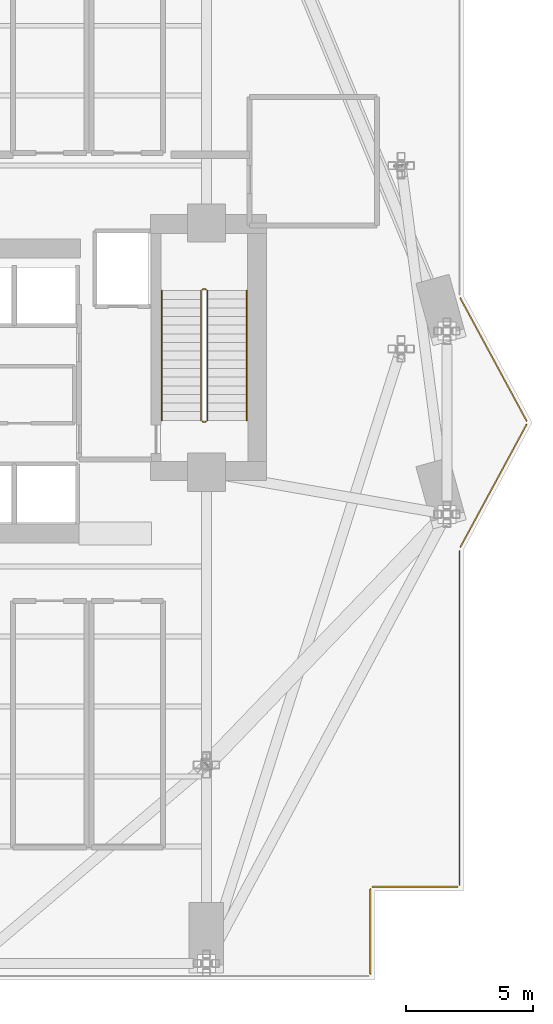
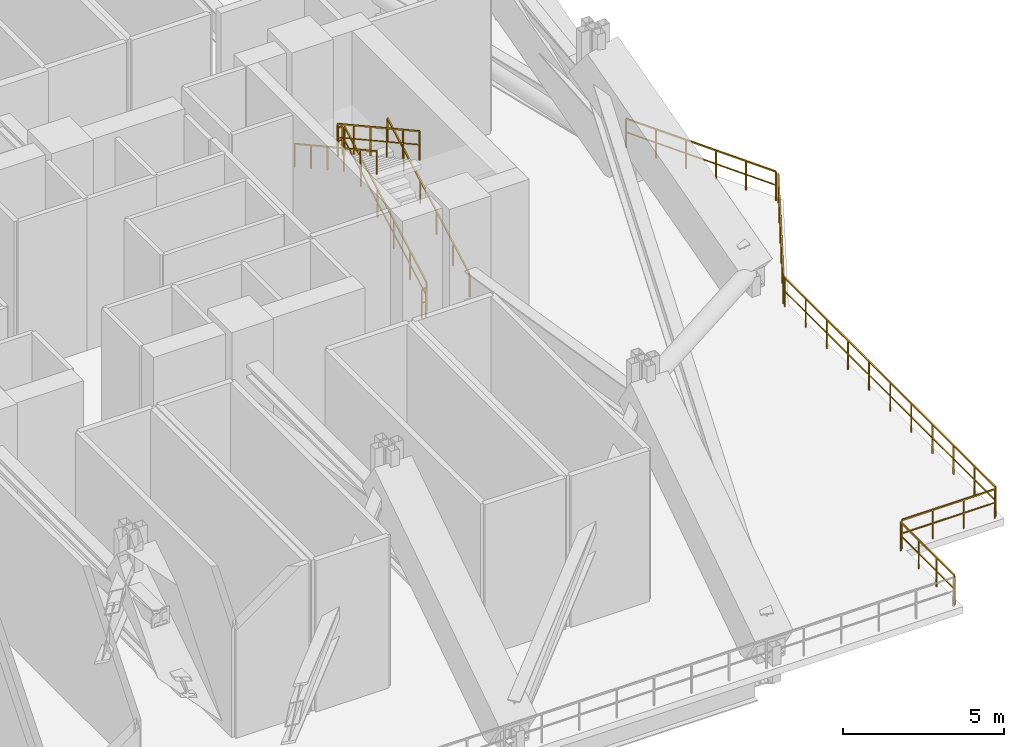
# One storey, part 17 of 18: 11 railings.
"""IFC4 building model written with IfcOpenShell, lengths in metres."""

from ifc_helpers import new_model, si_unit, direction, frame, origin, origin_2d, place, context, subcontext, project, spatial, rectangle, extrude, material, type_object, element, save


model = new_model("IFC4")

# Units and contexts
model_context = context("Model", 3, precision=1e-05, world=origin(), true_north=direction((0.0, 1.0)))
body_context = subcontext(model_context, "Body", "Model", "MODEL_VIEW")
ifc_project = project(units=[si_unit("LENGTHUNIT", "METRE"), si_unit("AREAUNIT", "SQUARE_METRE"), si_unit("VOLUMEUNIT", "CUBIC_METRE"), si_unit("PLANEANGLEUNIT", "RADIAN"), si_unit("MASSUNIT", "GRAM", prefix="KILO")], contexts=[model_context])

# Site, building, storey
site_placement = place(None, origin())
site = spatial("IfcSite", under=ifc_project, at=site_placement, CompositionType="ELEMENT")
building_placement = place(site_placement, origin())
building = spatial("IfcBuilding", under=site, at=building_placement, Name="Zuhayl Quay Hotel", CompositionType="ELEMENT")
storey_placement = place(building_placement, frame((0.0, 0.0, 162.199951171875)))
storey = spatial("IfcBuildingStorey", under=building, at=storey_placement, Name="L41", CompositionType="ELEMENT", Elevation=162.199951171875)

# Railings
ifc_material_1 = material(Name="Anodised Aluminium and Laminated Glass", Category="aluminium")
railing_type_1 = type_object("IfcRailingType", Name="RL_EXT_BAL_1100", PredefinedType="BALUSTRADE", material=ifc_material_1)
railing_1_placement = place(storey_placement, frame((23.778076171875, 11.38916015625, 0.0)))
element("IfcRailing", 1, at=railing_1_placement, inside=storey, type_object=railing_type_1, Name="L41 Balcony and Terrace Guard GR_WIND_L41_13", PredefinedType="BALUSTRADE", context=body_context, shape_type="SweptSolid", body=[
    extrude(rectangle(XDim=0.048095703125, YDim=0.048095703125, at=origin_2d()), frame((0.0, 0.0, 1.09619140625), z_axis=(0.475130966766, -0.879915089324, 0.0), x_axis=(0.879915089324, 0.475130966766, 0.0)), (0.0, 0.0, 1.0), 5.4765625),
    extrude(rectangle(XDim=0.0361328125, YDim=0.0361328125, at=origin_2d()), frame((0.0, 0.0, 0.58251953125), z_axis=(0.475130966766, -0.879915089324, 0.0), x_axis=(0.879915089324, 0.475130966766, 0.0)), (0.0, 0.0, 1.0), 5.4765625),
    extrude(rectangle(XDim=0.0419921875, YDim=0.0419921875, at=origin_2d()), origin(), (0.0, 0.0, 1.0), 1.072021484375),
    extrude(rectangle(XDim=0.0419921875, YDim=0.0419921875, at=origin_2d()), frame((0.5205078125, -0.9638671875, 0.0)), (0.0, 0.0, 1.0), 1.072021484375),
    extrude(rectangle(XDim=0.0419921875, YDim=0.0419921875, at=origin_2d()), frame((1.040771484375, -1.927490234375, 0.0)), (0.0, 0.0, 1.0), 1.072021484375),
    extrude(rectangle(XDim=0.0419921875, YDim=0.0419921875, at=origin_2d()), frame((1.561279296875, -2.891357421875, 0.0)), (0.0, 0.0, 1.0), 1.072021484375),
    extrude(rectangle(XDim=0.0419921875, YDim=0.0419921875, at=origin_2d()), frame((2.08154296875, -3.85498046875, 0.0)), (0.0, 0.0, 1.0), 1.072021484375),
    extrude(rectangle(XDim=0.0419921875, YDim=0.0419921875, at=origin_2d()), frame((2.60205078125, -4.81884765625, 0.0)), (0.0, 0.0, 1.0), 1.072021484375),
])
railing_2_placement = place(storey_placement, frame((26.380126953125, 6.4296875, 0.0)))
element("IfcRailing", 2, at=railing_2_placement, inside=storey, type_object=railing_type_1, Name="L41 Balcony and Terrace Guard GR_WIND_L41_14", PredefinedType="BALUSTRADE", context=body_context, shape_type="SweptSolid", body=[
    extrude(rectangle(XDim=0.048095703125, YDim=0.048095703125, at=origin_2d()), frame((0.0, 0.0, 1.09619140625), z_axis=(-0.475130966766, -0.879915089324, 0.0), x_axis=(0.879915089324, -0.475130966766, 0.0)), (0.0, 0.0, 1.0), 5.4765625),
    extrude(rectangle(XDim=0.0361328125, YDim=0.0361328125, at=origin_2d()), frame((0.0, 0.0, 0.58251953125), z_axis=(-0.475130966766, -0.879915089324, 0.0), x_axis=(0.879915089324, -0.475130966766, 0.0)), (0.0, 0.0, 1.0), 5.4765625),
    extrude(rectangle(XDim=0.0419921875, YDim=0.0419921875, at=origin_2d()), origin(), (0.0, 0.0, 1.0), 1.072021484375),
    extrude(rectangle(XDim=0.0419921875, YDim=0.0419921875, at=origin_2d()), frame((-0.5205078125, -0.9638671875, 0.0)), (0.0, 0.0, 1.0), 1.072021484375),
    extrude(rectangle(XDim=0.0419921875, YDim=0.0419921875, at=origin_2d()), frame((-1.040771484375, -1.927490234375, 0.0)), (0.0, 0.0, 1.0), 1.072021484375),
    extrude(rectangle(XDim=0.0419921875, YDim=0.0419921875, at=origin_2d()), frame((-1.561279296875, -2.891357421875, 0.0)), (0.0, 0.0, 1.0), 1.072021484375),
    extrude(rectangle(XDim=0.0419921875, YDim=0.0419921875, at=origin_2d()), frame((-2.08154296875, -3.85498046875, 0.0)), (0.0, 0.0, 1.0), 1.072021484375),
    extrude(rectangle(XDim=0.0419921875, YDim=0.0419921875, at=origin_2d()), frame((-2.60205078125, -4.81884765625, 0.0)), (0.0, 0.0, 1.0), 1.072021484375),
])
railing_3_placement = place(storey_placement, frame((23.739990234375, 1.46044921875, 0.0)))
element("IfcRailing", 3, at=railing_3_placement, inside=storey, type_object=railing_type_1, Name="L41 Balcony and Terrace Guard GR_WIND_L41_15", PredefinedType="BALUSTRADE", context=body_context, shape_type="SweptSolid", body=[
    extrude(rectangle(XDim=0.048095703125, YDim=0.048095703125, at=origin_2d()), frame((0.0, 0.0, 1.09619140625), z_axis=(0.0, -1.0, 0.0), x_axis=(1.0, 0.0, 0.0)), (0.0, 0.0, 1.0), 13.120361328125),
    extrude(rectangle(XDim=0.0361328125, YDim=0.0361328125, at=origin_2d()), frame((0.0, 0.0, 0.58251953125), z_axis=(0.0, -1.0, 0.0), x_axis=(1.0, 0.0, 0.0)), (0.0, 0.0, 1.0), 13.120361328125),
    extrude(rectangle(XDim=0.0419921875, YDim=0.0419921875, at=origin_2d()), origin(), (0.0, 0.0, 1.0), 1.072021484375),
    extrude(rectangle(XDim=0.0419921875, YDim=0.0419921875, at=origin_2d()), frame((0.0, -1.31201171875, 0.0)), (0.0, 0.0, 1.0), 1.072021484375),
    extrude(rectangle(XDim=0.0419921875, YDim=0.0419921875, at=origin_2d()), frame((0.0, -2.6240234375, 0.0)), (0.0, 0.0, 1.0), 1.072021484375),
    extrude(rectangle(XDim=0.0419921875, YDim=0.0419921875, at=origin_2d()), frame((0.0, -3.93603515625, 0.0)), (0.0, 0.0, 1.0), 1.072021484375),
    extrude(rectangle(XDim=0.0419921875, YDim=0.0419921875, at=origin_2d()), frame((0.0, -5.248046875, 0.0)), (0.0, 0.0, 1.0), 1.072021484375),
    extrude(rectangle(XDim=0.0419921875, YDim=0.0419921875, at=origin_2d()), frame((0.0, -6.56005859375, 0.0)), (0.0, 0.0, 1.0), 1.072021484375),
    extrude(rectangle(XDim=0.0419921875, YDim=0.0419921875, at=origin_2d()), frame((0.0, -7.872314453125, 0.0)), (0.0, 0.0, 1.0), 1.072021484375),
    extrude(rectangle(XDim=0.0419921875, YDim=0.0419921875, at=origin_2d()), frame((0.0, -9.184326171875, 0.0)), (0.0, 0.0, 1.0), 1.072021484375),
    extrude(rectangle(XDim=0.0419921875, YDim=0.0419921875, at=origin_2d()), frame((0.0, -10.496337890625, 0.0)), (0.0, 0.0, 1.0), 1.072021484375),
    extrude(rectangle(XDim=0.0419921875, YDim=0.0419921875, at=origin_2d()), frame((0.0, -11.808349609375, 0.0)), (0.0, 0.0, 1.0), 1.072021484375),
    extrude(rectangle(XDim=0.0419921875, YDim=0.0419921875, at=origin_2d()), frame((0.0, -13.120361328125, 0.0)), (0.0, 0.0, 1.0), 1.072021484375),
])
railing_4_placement = place(storey_placement, frame((23.659912109375, -11.739990234375, 0.0)))
element("IfcRailing", 4, at=railing_4_placement, inside=storey, type_object=railing_type_1, Name="L41 Balcony and Terrace Guard GR_WIND_L41_16", PredefinedType="BALUSTRADE", context=body_context, shape_type="SweptSolid", body=[
    extrude(rectangle(XDim=0.048095703125, YDim=0.048095703125, at=origin_2d()), frame((0.0, 0.0, 1.09619140625), z_axis=(-1.0, 0.0, 0.0), x_axis=(0.0, -1.0, 0.0)), (0.0, 0.0, 1.0), 3.33984375),
    extrude(rectangle(XDim=0.0361328125, YDim=0.0361328125, at=origin_2d()), frame((0.0, 0.0, 0.58251953125), z_axis=(-1.0, 0.0, 0.0), x_axis=(0.0, -1.0, 0.0)), (0.0, 0.0, 1.0), 3.33984375),
    extrude(rectangle(XDim=0.0419921875, YDim=0.0419921875, at=origin_2d()), origin(), (0.0, 0.0, 1.0), 1.072021484375),
    extrude(rectangle(XDim=0.0419921875, YDim=0.0419921875, at=origin_2d()), frame((-1.11328125, 0.0, 0.0)), (0.0, 0.0, 1.0), 1.072021484375),
    extrude(rectangle(XDim=0.0419921875, YDim=0.0419921875, at=origin_2d()), frame((-2.2265625, 0.0, 0.0)), (0.0, 0.0, 1.0), 1.072021484375),
    extrude(rectangle(XDim=0.0419921875, YDim=0.0419921875, at=origin_2d()), frame((-3.33984375, 0.0, 0.0)), (0.0, 0.0, 1.0), 1.072021484375),
])
railing_5_placement = place(storey_placement, frame((20.239990234375, -11.820068359375, 0.0)))
element("IfcRailing", 5, at=railing_5_placement, inside=storey, type_object=railing_type_1, Name="L41 Balcony and Terrace Guard GR_WIND_L41_17", PredefinedType="BALUSTRADE", context=body_context, shape_type="SweptSolid", body=[
    extrude(rectangle(XDim=0.048095703125, YDim=0.048095703125, at=origin_2d()), frame((0.0, 0.0, 1.09619140625), z_axis=(0.0, -1.0, 0.0), x_axis=(1.0, 0.0, 0.0)), (0.0, 0.0, 1.0), 3.33984375),
    extrude(rectangle(XDim=0.0361328125, YDim=0.0361328125, at=origin_2d()), frame((0.0, 0.0, 0.58251953125), z_axis=(0.0, -1.0, 0.0), x_axis=(1.0, 0.0, 0.0)), (0.0, 0.0, 1.0), 3.33984375),
    extrude(rectangle(XDim=0.0419921875, YDim=0.0419921875, at=origin_2d()), origin(), (0.0, 0.0, 1.0), 1.072021484375),
    extrude(rectangle(XDim=0.0419921875, YDim=0.0419921875, at=origin_2d()), frame((0.0, -1.11328125, 0.0)), (0.0, 0.0, 1.0), 1.072021484375),
    extrude(rectangle(XDim=0.0419921875, YDim=0.0419921875, at=origin_2d()), frame((0.0, -2.2265625, 0.0)), (0.0, 0.0, 1.0), 1.072021484375),
    extrude(rectangle(XDim=0.0419921875, YDim=0.0419921875, at=origin_2d()), frame((0.0, -3.33984375, 0.0)), (0.0, 0.0, 1.0), 1.072021484375),
])
ifc_material_2 = material(Name="Steel ASTM A992 Grade 50", Category="steel")
railing_type_2 = type_object("IfcRailingType", Name="RL_GUARD_1100", PredefinedType="GUARDRAIL", material=ifc_material_2)
railing_6_placement = place(storey_placement, frame((13.840087890625, 6.590087890625, 0.1875)))
element("IfcRailing", 6, at=railing_6_placement, inside=storey, type_object=railing_type_2, Name="L41 ST2 stair guard 1", PredefinedType="GUARDRAIL", context=body_context, shape_type="SweptSolid", body=[
    extrude(rectangle(XDim=0.048095703125, YDim=0.048095703125, at=origin_2d()), frame((0.0, 0.0, 1.09619140625), z_axis=(0.0, 0.875665712831, 0.482917756322), x_axis=(-1.0, 0.0, 0.0)), (0.0, 0.0, 1.0), 5.823974609375),
    extrude(rectangle(XDim=0.0361328125, YDim=0.0361328125, at=origin_2d()), frame((0.0, 0.0, 0.58251953125), z_axis=(0.0, 0.875665712831, 0.482917756322), x_axis=(-1.0, 0.0, 0.0)), (0.0, 0.0, 1.0), 5.823974609375),
    extrude(rectangle(XDim=0.0419921875, YDim=0.0419921875, at=origin_2d()), origin(), (0.0, 0.0, 1.0), 1.072021484375),
    extrude(rectangle(XDim=0.0419921875, YDim=0.0419921875, at=origin_2d()), frame((0.0, 1.02001953125, 0.5625)), (0.0, 0.0, 1.0), 1.072021484375),
    extrude(rectangle(XDim=0.0419921875, YDim=0.0419921875, at=origin_2d()), frame((0.0, 2.0400390625, 1.125)), (0.0, 0.0, 1.0), 1.072021484375),
    extrude(rectangle(XDim=0.0419921875, YDim=0.0419921875, at=origin_2d()), frame((0.0, 3.059814453125, 1.6875)), (0.0, 0.0, 1.0), 1.072021484375),
    extrude(rectangle(XDim=0.0419921875, YDim=0.0419921875, at=origin_2d()), frame((0.0, 4.079833984375, 2.25)), (0.0, 0.0, 1.0), 1.072021484375),
    extrude(rectangle(XDim=0.0419921875, YDim=0.0419921875, at=origin_2d()), frame((0.0, 5.099853515625, 2.8125)), (0.0, 0.0, 1.0), 1.072021484375),
])
railing_7_placement = place(storey_placement, frame((13.7900390625, 11.739990234375, 3.0)))
element("IfcRailing", 7, at=railing_7_placement, inside=storey, type_object=railing_type_2, Name="L41 ST2 stair guard 2", PredefinedType="GUARDRAIL", context=body_context, shape_type="SweptSolid", body=[
    extrude(rectangle(XDim=0.048095703125, YDim=0.048095703125, at=origin_2d()), frame((0.0, 0.0, 1.09619140625), z_axis=(-1.0, 0.0, 0.0), x_axis=(0.0, -1.0, 0.0)), (0.0, 0.0, 1.0), 0.150146484375),
    extrude(rectangle(XDim=0.0361328125, YDim=0.0361328125, at=origin_2d()), frame((0.0, 0.0, 0.58251953125), z_axis=(-1.0, 0.0, 0.0), x_axis=(0.0, -1.0, 0.0)), (0.0, 0.0, 1.0), 0.150146484375),
    extrude(rectangle(XDim=0.0419921875, YDim=0.0419921875, at=origin_2d()), origin(), (0.0, 0.0, 1.0), 1.072021484375),
    extrude(rectangle(XDim=0.0419921875, YDim=0.0419921875, at=origin_2d()), frame((-0.150146484375, 0.0, 0.0)), (0.0, 0.0, 1.0), 1.072021484375),
])
railing_8_placement = place(storey_placement, frame((13.590087890625, 11.68994140625, 3.1875)))
element("IfcRailing", 8, at=railing_8_placement, inside=storey, type_object=railing_type_2, Name="L41 ST2 stair guard 3", PredefinedType="GUARDRAIL", context=body_context, shape_type="SweptSolid", body=[
    extrude(rectangle(XDim=0.048095703125, YDim=0.048095703125, at=origin_2d()), frame((0.0, 0.0, 1.09619140625), z_axis=(0.0, -0.875665712831, 0.482917756322), x_axis=(1.0, 0.0, 0.0)), (0.0, 0.0, 1.0), 5.823974609375),
    extrude(rectangle(XDim=0.0361328125, YDim=0.0361328125, at=origin_2d()), frame((0.0, 0.0, 0.58251953125), z_axis=(0.0, -0.875665712831, 0.482917756322), x_axis=(1.0, 0.0, 0.0)), (0.0, 0.0, 1.0), 5.823974609375),
    extrude(rectangle(XDim=0.0419921875, YDim=0.0419921875, at=origin_2d()), origin(), (0.0, 0.0, 1.0), 1.072021484375),
    extrude(rectangle(XDim=0.0419921875, YDim=0.0419921875, at=origin_2d()), frame((0.0, -1.02001953125, 0.5625)), (0.0, 0.0, 1.0), 1.072021484375),
    extrude(rectangle(XDim=0.0419921875, YDim=0.0419921875, at=origin_2d()), frame((0.0, -2.0400390625, 1.125)), (0.0, 0.0, 1.0), 1.072021484375),
    extrude(rectangle(XDim=0.0419921875, YDim=0.0419921875, at=origin_2d()), frame((0.0, -3.059814453125, 1.6875)), (0.0, 0.0, 1.0), 1.072021484375),
    extrude(rectangle(XDim=0.0419921875, YDim=0.0419921875, at=origin_2d()), frame((0.0, -4.079833984375, 2.25)), (0.0, 0.0, 1.0), 1.072021484375),
    extrude(rectangle(XDim=0.0419921875, YDim=0.0419921875, at=origin_2d()), frame((0.0, -5.099853515625, 2.8125)), (0.0, 0.0, 1.0), 1.072021484375),
])
railing_9_placement = place(storey_placement, frame((13.7900390625, 6.5400390625, 0.0)))
element("IfcRailing", 9, at=railing_9_placement, inside=storey, type_object=railing_type_2, Name="L41 ST2 stair guard 4", PredefinedType="GUARDRAIL", context=body_context, shape_type="SweptSolid", body=[
    extrude(rectangle(XDim=0.048095703125, YDim=0.048095703125, at=origin_2d()), frame((0.0, 0.0, 1.09619140625), z_axis=(-1.0, 0.0, 0.0), x_axis=(0.0, -1.0, 0.0)), (0.0, 0.0, 1.0), 0.150146484375),
    extrude(rectangle(XDim=0.0361328125, YDim=0.0361328125, at=origin_2d()), frame((0.0, 0.0, 0.58251953125), z_axis=(-1.0, 0.0, 0.0), x_axis=(0.0, -1.0, 0.0)), (0.0, 0.0, 1.0), 0.150146484375),
    extrude(rectangle(XDim=0.0419921875, YDim=0.0419921875, at=origin_2d()), origin(), (0.0, 0.0, 1.0), 1.072021484375),
    extrude(rectangle(XDim=0.0419921875, YDim=0.0419921875, at=origin_2d()), frame((-0.150146484375, 0.0, 0.0)), (0.0, 0.0, 1.0), 1.072021484375),
])
railing_type_3 = type_object("IfcRailingType", Name="RL_HANDRAIL_920", PredefinedType="HANDRAIL", material=ifc_material_2)
railing_10_placement = place(storey_placement, frame((15.3798828125, 6.590087890625, 0.1875)))
element("IfcRailing", 10, at=railing_10_placement, inside=storey, type_object=railing_type_3, Name="L41 ST2 stair handrail 1", PredefinedType="HANDRAIL", context=body_context, shape_type="SweptSolid", body=[
    extrude(rectangle(XDim=0.048095703125, YDim=0.048095703125, at=origin_2d()), frame((0.0, 0.0, 0.8759765625), z_axis=(0.0, 0.875665712831, 0.482917756322), x_axis=(-1.0, 0.0, 0.0)), (0.0, 0.0, 1.0), 5.823974609375),
    extrude(rectangle(XDim=0.0419921875, YDim=0.0419921875, at=origin_2d()), origin(), (0.0, 0.0, 1.0), 0.851806640625),
    extrude(rectangle(XDim=0.0419921875, YDim=0.0419921875, at=origin_2d()), frame((0.0, 1.02001953125, 0.5625)), (0.0, 0.0, 1.0), 0.851806640625),
    extrude(rectangle(XDim=0.0419921875, YDim=0.0419921875, at=origin_2d()), frame((0.0, 2.0400390625, 1.125)), (0.0, 0.0, 1.0), 0.851806640625),
    extrude(rectangle(XDim=0.0419921875, YDim=0.0419921875, at=origin_2d()), frame((0.0, 3.059814453125, 1.6875)), (0.0, 0.0, 1.0), 0.851806640625),
    extrude(rectangle(XDim=0.0419921875, YDim=0.0419921875, at=origin_2d()), frame((0.0, 4.079833984375, 2.25)), (0.0, 0.0, 1.0), 0.851806640625),
    extrude(rectangle(XDim=0.0419921875, YDim=0.0419921875, at=origin_2d()), frame((0.0, 5.099853515625, 2.8125)), (0.0, 0.0, 1.0), 0.851806640625),
])
railing_11_placement = place(storey_placement, frame((12.050048828125, 11.68994140625, 3.1875)))
element("IfcRailing", 11, at=railing_11_placement, inside=storey, type_object=railing_type_3, Name="L41 ST2 stair handrail 2", PredefinedType="HANDRAIL", context=body_context, shape_type="SweptSolid", body=[
    extrude(rectangle(XDim=0.048095703125, YDim=0.048095703125, at=origin_2d()), frame((0.0, 0.0, 0.8759765625), z_axis=(0.0, -0.875665712831, 0.482917756322), x_axis=(1.0, 0.0, 0.0)), (0.0, 0.0, 1.0), 5.823974609375),
    extrude(rectangle(XDim=0.0419921875, YDim=0.0419921875, at=origin_2d()), origin(), (0.0, 0.0, 1.0), 0.851806640625),
    extrude(rectangle(XDim=0.0419921875, YDim=0.0419921875, at=origin_2d()), frame((0.0, -1.02001953125, 0.5625)), (0.0, 0.0, 1.0), 0.851806640625),
    extrude(rectangle(XDim=0.0419921875, YDim=0.0419921875, at=origin_2d()), frame((0.0, -2.0400390625, 1.125)), (0.0, 0.0, 1.0), 0.851806640625),
    extrude(rectangle(XDim=0.0419921875, YDim=0.0419921875, at=origin_2d()), frame((0.0, -3.059814453125, 1.6875)), (0.0, 0.0, 1.0), 0.851806640625),
    extrude(rectangle(XDim=0.0419921875, YDim=0.0419921875, at=origin_2d()), frame((0.0, -4.079833984375, 2.25)), (0.0, 0.0, 1.0), 0.851806640625),
    extrude(rectangle(XDim=0.0419921875, YDim=0.0419921875, at=origin_2d()), frame((0.0, -5.099853515625, 2.8125)), (0.0, 0.0, 1.0), 0.851806640625),
])

save(model, "model.ifc")
